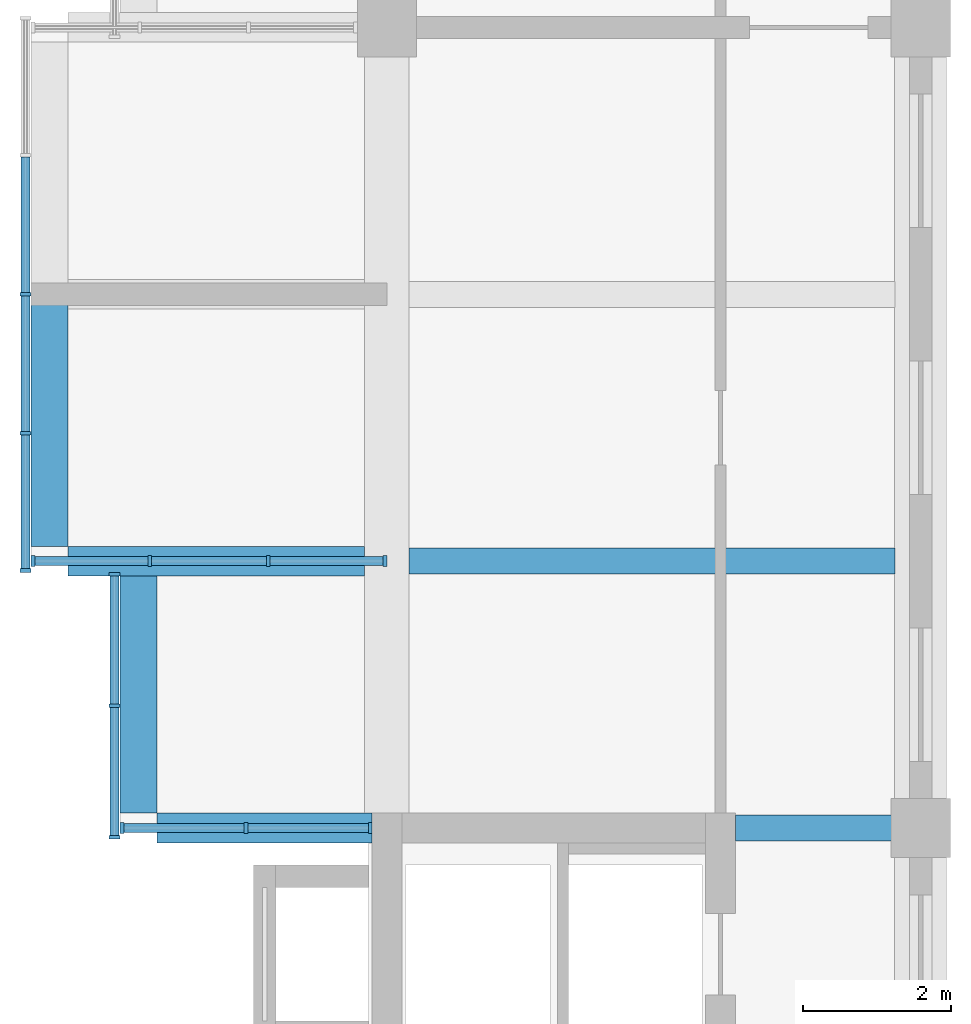
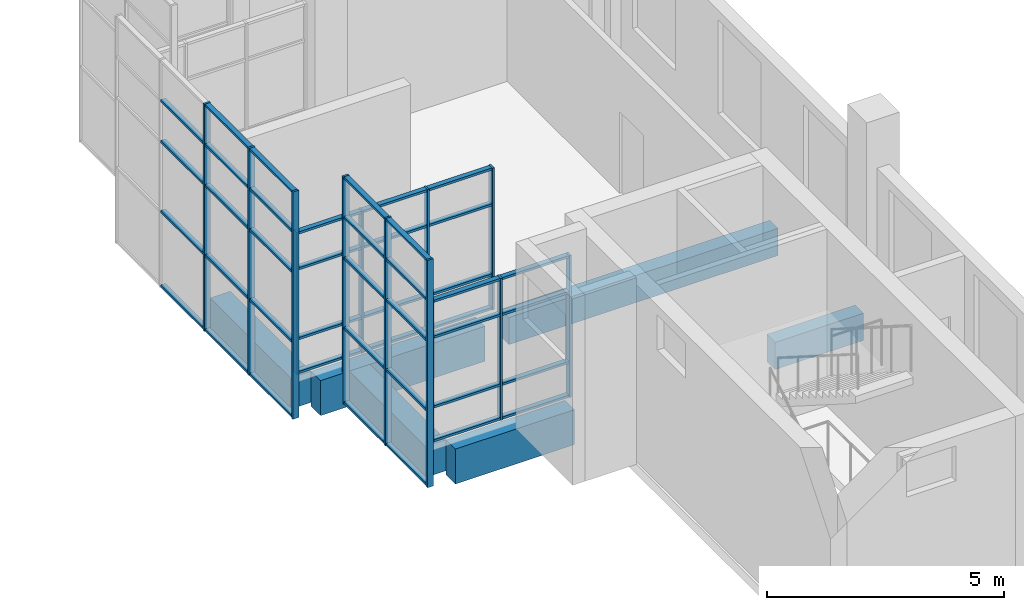
# One storey, part 2 of 9: 57 members, 6 beams, 4 elements without a shape of their own.
"""IFC4 building model written with IfcOpenShell, lengths in metres."""

from ifc_helpers import new_model, si_unit, direction, frame, origin, origin_2d, place, context, subcontext, project, spatial, rectangle, extrude, material, layer, layer_set, material_profile, profile_set, type_object, element, aggregate, save


model = new_model("IFC4")

# Units and contexts
model_context = context("Model", 3, precision=1e-05, world=origin(), true_north=direction((0.0, 1.0)))
body_context = subcontext(model_context, "Body", "Model", "MODEL_VIEW")
ifc_project = project(units=[si_unit("LENGTHUNIT", "METRE"), si_unit("AREAUNIT", "SQUARE_METRE"), si_unit("VOLUMEUNIT", "CUBIC_METRE"), si_unit("PLANEANGLEUNIT", "RADIAN"), si_unit("MASSUNIT", "GRAM", prefix="KILO")], contexts=[model_context])

# Site, building, storey
site_placement = place(None, origin())
site = spatial("IfcSite", under=ifc_project, at=site_placement, CompositionType="ELEMENT")
building_placement = place(site_placement, origin())
building = spatial("IfcBuilding", under=site, at=building_placement, Name="Basin Gate Institute", CompositionType="ELEMENT")
storey_placement = place(building_placement, frame((0.0, 0.0, 70.199951171875)))
storey = spatial("IfcBuildingStorey", under=building, at=storey_placement, Name="L14", CompositionType="ELEMENT", Elevation=70.199951171875)

# Beams
ifc_material_1 = material(Name="Concrete 40 MPa", Category="concrete")
ifc_material_profile_1 = material_profile(ifc_material_1, rectangle(XDim=0.35009765625, YDim=0.699951171875, at=origin_2d()), Name="Beam B1 350 x 700")
ifc_profile_set_1 = profile_set([ifc_material_profile_1], Name="Concrete 40 MPa")
beam_type_1 = type_object("IfcBeamType", Name="Beam B1 R60", PredefinedType="BEAM", material=ifc_profile_set_1)
beam_1_placement = place(storey_placement, frame((65.89990234375, 45.89990234375, -0.599853515625), z_axis=(1.0, 0.0, 0.0), x_axis=(0.0, 1.0, 0.0)))
element("IfcBeam", 1, at=beam_1_placement, inside=storey, type_object=beam_type_1, material=ifc_profile_set_1, Name="BEAM/L14/W/CORR/04", PredefinedType="BEAM", context=body_context, shape_type="SweptSolid", body=[
    extrude(rectangle(XDim=0.35009765625, YDim=0.699951171875, at=origin_2d()), origin(), (0.0, 0.0, 1.0), 2.150146484375),
])
beam_2_placement = place(storey_placement, frame((61.5, 49.5, -0.599853515625), z_axis=(1.0, 0.0, 0.0), x_axis=(0.0, 1.0, 0.0)))
element("IfcBeam", 2, at=beam_2_placement, inside=storey, type_object=beam_type_1, material=ifc_profile_set_1, Name="BEAM/L14/W/OUT/05", PredefinedType="BEAM", context=body_context, shape_type="SweptSolid", body=[
    extrude(rectangle(XDim=0.35009765625, YDim=0.699951171875, at=origin_2d()), origin(), (0.0, 0.0, 1.0), 6.550048828125),
])
ifc_material_2 = material(Name="Concrete 50 MPa", Category="concrete")
ifc_material_profile_2 = material_profile(ifc_material_2, rectangle(XDim=0.39990234375, YDim=0.89990234375, at=origin_2d()), Name="Cantilever beam B3 400 x 900")
ifc_profile_set_2 = profile_set([ifc_material_profile_2], Name="Concrete 50 MPa")
beam_type_2 = type_object("IfcBeamType", Name="Cantilever beam B3 R60", PredefinedType="BEAM", material=ifc_profile_set_2)
beam_3_placement = place(storey_placement, frame((58.10009765625, 45.89990234375, -0.699951171875), z_axis=(1.0, 0.0, 0.0), x_axis=(0.0, 1.0, 0.0)))
element("IfcBeam", 3, at=beam_3_placement, inside=storey, type_object=beam_type_2, material=ifc_profile_set_2, Name="BEAM/L14/W/CANT/04", PredefinedType="BEAM", context=body_context, shape_type="SweptSolid", body=[
    extrude(rectangle(XDim=0.39990234375, YDim=0.89990234375, at=origin_2d()), origin(), (0.0, 0.0, 1.0), 2.89990234375),
])
beam_4_placement = place(storey_placement, frame((56.89990234375, 49.5, -0.699951171875), z_axis=(1.0, 0.0, 0.0), x_axis=(0.0, 1.0, 0.0)))
element("IfcBeam", 4, at=beam_4_placement, inside=storey, type_object=beam_type_2, material=ifc_profile_set_2, Name="BEAM/L14/W/CANT/05", PredefinedType="BEAM", context=body_context, shape_type="SweptSolid", body=[
    extrude(rectangle(XDim=0.39990234375, YDim=0.89990234375, at=origin_2d()), origin(), (0.0, 0.0, 1.0), 4.0),
])

# Curtain wall, members
ifc_material_3 = material(Name="Aluminium-framed glazing", Category="aluminium")
ifc_layer = layer(ifc_material_3, 0.14990234375)
ifc_layer_set = layer_set([ifc_layer], Name="Capsule front curtain wall CW1")
curtain_wall_type = type_object("IfcCurtainWallType", Name="Capsule front curtain wall CW1", PredefinedType="NOTDEFINED", material=ifc_layer_set)
curtain_wall_1_placement = place(storey_placement, origin())
curtain_wall_1 = element("IfcCurtainWall", 5, at=curtain_wall_1_placement, inside=storey, type_object=curtain_wall_type, material=ifc_layer_set, Name="Capsule front curtain wall W wing capsule end L14 line 4", PredefinedType="NOTDEFINED")
ifc_material_4 = material(Name="Aluminium", Category="aluminium")
ifc_material_profile_3 = material_profile(ifc_material_4, rectangle(XDim=0.14990234375, YDim=0.050048828125, at=origin_2d()), Name="Mullion MU1 150 x 50")
ifc_profile_set_3 = profile_set([ifc_material_profile_3], Name="Aluminium")
member_type_1 = type_object("IfcMemberType", Name="Mullion MU1", PredefinedType="MULLION", material=ifc_profile_set_3)
member_1_placement = place(storey_placement, frame((57.625, 45.89990234375, 0.0), z_axis=(0.0, 0.0, 1.0), x_axis=(0.0, 1.0, 0.0)))
member_1 = element("IfcMember", 6, at=member_1_placement, type_object=member_type_1, material=ifc_profile_set_3, Name="CW1 mullion 1", PredefinedType="MULLION", context=body_context, shape_type="SweptSolid", body=[
    extrude(rectangle(XDim=0.14990234375, YDim=0.050048828125, at=origin_2d()), origin(), (0.0, 0.0, 1.0), 3.650146484375),
])
member_2_placement = place(storey_placement, frame((59.300048828125, 45.89990234375, 0.0), z_axis=(0.0, 0.0, 1.0), x_axis=(0.0, 1.0, 0.0)))
member_2 = element("IfcMember", 7, at=member_2_placement, type_object=member_type_1, material=ifc_profile_set_3, Name="CW1 mullion 2", PredefinedType="MULLION", context=body_context, shape_type="SweptSolid", body=[
    extrude(rectangle(XDim=0.14990234375, YDim=0.050048828125, at=origin_2d()), origin(), (0.0, 0.0, 1.0), 3.650146484375),
])
member_3_placement = place(storey_placement, frame((60.97509765625, 45.89990234375, 0.0), z_axis=(0.0, 0.0, 1.0), x_axis=(0.0, 1.0, 0.0)))
member_3 = element("IfcMember", 8, at=member_3_placement, type_object=member_type_1, material=ifc_profile_set_3, Name="CW1 mullion 3", PredefinedType="MULLION", context=body_context, shape_type="SweptSolid", body=[
    extrude(rectangle(XDim=0.14990234375, YDim=0.050048828125, at=origin_2d()), origin(), (0.0, 0.0, 1.0), 3.650146484375),
])

curtain_wall_2_placement = place(storey_placement, origin())
curtain_wall_2 = element("IfcCurtainWall", 9, at=curtain_wall_2_placement, inside=storey, type_object=curtain_wall_type, material=ifc_layer_set, Name="Capsule front curtain wall W wing capsule end L14 line 5", PredefinedType="NOTDEFINED")
member_4_placement = place(storey_placement, frame((56.425048828125, 49.5, 0.0), z_axis=(0.0, 0.0, 1.0), x_axis=(0.0, 1.0, 0.0)))
member_4 = element("IfcMember", 10, at=member_4_placement, type_object=member_type_1, material=ifc_profile_set_3, Name="CW1 mullion 1", PredefinedType="MULLION", context=body_context, shape_type="SweptSolid", body=[
    extrude(rectangle(XDim=0.14990234375, YDim=0.050048828125, at=origin_2d()), origin(), (0.0, 0.0, 1.0), 3.650146484375),
])
member_5_placement = place(storey_placement, frame((58.0, 49.5, 0.0), z_axis=(0.0, 0.0, 1.0), x_axis=(0.0, 1.0, 0.0)))
member_5 = element("IfcMember", 11, at=member_5_placement, type_object=member_type_1, material=ifc_profile_set_3, Name="CW1 mullion 2", PredefinedType="MULLION", context=body_context, shape_type="SweptSolid", body=[
    extrude(rectangle(XDim=0.14990234375, YDim=0.050048828125, at=origin_2d()), origin(), (0.0, 0.0, 1.0), 3.650146484375),
])
member_6_placement = place(storey_placement, frame((59.60009765625, 49.5, 0.0), z_axis=(0.0, 0.0, 1.0), x_axis=(0.0, 1.0, 0.0)))
member_6 = element("IfcMember", 12, at=member_6_placement, type_object=member_type_1, material=ifc_profile_set_3, Name="CW1 mullion 3", PredefinedType="MULLION", context=body_context, shape_type="SweptSolid", body=[
    extrude(rectangle(XDim=0.14990234375, YDim=0.050048828125, at=origin_2d()), origin(), (0.0, 0.0, 1.0), 3.650146484375),
])
member_7_placement = place(storey_placement, frame((61.175048828125, 49.5, 0.0), z_axis=(0.0, 0.0, 1.0), x_axis=(0.0, 1.0, 0.0)))
member_7 = element("IfcMember", 13, at=member_7_placement, type_object=member_type_1, material=ifc_profile_set_3, Name="CW1 mullion 4", PredefinedType="MULLION", context=body_context, shape_type="SweptSolid", body=[
    extrude(rectangle(XDim=0.14990234375, YDim=0.050048828125, at=origin_2d()), origin(), (0.0, 0.0, 1.0), 3.650146484375),
])

curtain_wall_3_placement = place(storey_placement, origin())
curtain_wall_3 = element("IfcCurtainWall", 14, at=curtain_wall_3_placement, inside=storey, type_object=curtain_wall_type, material=ifc_layer_set, Name="Capsule front curtain wall W wing capsule 1 L14 front 1", PredefinedType="NOTDEFINED")
member_8_placement = place(storey_placement, frame((57.52490234375, 45.77490234375, -1.050048828125), z_axis=(0.0, 0.0, 1.0), x_axis=(-1.0, 0.0, 0.0)))
member_8 = element("IfcMember", 15, at=member_8_placement, type_object=member_type_1, material=ifc_profile_set_3, Name="CW1 mullion 1", PredefinedType="MULLION", context=body_context, shape_type="SweptSolid", body=[
    extrude(rectangle(XDim=0.14990234375, YDim=0.050048828125, at=origin_2d()), origin(), (0.0, 0.0, 1.0), 5.85009765625),
])
member_9_placement = place(storey_placement, frame((57.52490234375, 47.550048828125, -1.050048828125), z_axis=(0.0, 0.0, 1.0), x_axis=(-1.0, 0.0, 0.0)))
member_9 = element("IfcMember", 16, at=member_9_placement, type_object=member_type_1, material=ifc_profile_set_3, Name="CW1 mullion 2", PredefinedType="MULLION", context=body_context, shape_type="SweptSolid", body=[
    extrude(rectangle(XDim=0.14990234375, YDim=0.050048828125, at=origin_2d()), origin(), (0.0, 0.0, 1.0), 5.85009765625),
])
member_10_placement = place(storey_placement, frame((57.52490234375, 49.324951171875, -1.050048828125), z_axis=(0.0, 0.0, 1.0), x_axis=(-1.0, 0.0, 0.0)))
member_10 = element("IfcMember", 17, at=member_10_placement, type_object=member_type_1, material=ifc_profile_set_3, Name="CW1 mullion 3", PredefinedType="MULLION", context=body_context, shape_type="SweptSolid", body=[
    extrude(rectangle(XDim=0.14990234375, YDim=0.050048828125, at=origin_2d()), origin(), (0.0, 0.0, 1.0), 5.85009765625),
])

curtain_wall_4_placement = place(storey_placement, origin())
curtain_wall_4 = element("IfcCurtainWall", 18, at=curtain_wall_4_placement, inside=storey, type_object=curtain_wall_type, material=ifc_layer_set, Name="Capsule front curtain wall W wing capsule 1 L14 front 2", PredefinedType="NOTDEFINED")
member_11_placement = place(storey_placement, frame((56.324951171875, 49.375, -1.050048828125), z_axis=(0.0, 0.0, 1.0), x_axis=(-1.0, 0.0, 0.0)))
member_11 = element("IfcMember", 19, at=member_11_placement, type_object=member_type_1, material=ifc_profile_set_3, Name="CW1 mullion 1", PredefinedType="MULLION", context=body_context, shape_type="SweptSolid", body=[
    extrude(rectangle(XDim=0.14990234375, YDim=0.050048828125, at=origin_2d()), origin(), (0.0, 0.0, 1.0), 5.85009765625),
])
member_12_placement = place(storey_placement, frame((56.324951171875, 51.22509765625, -1.050048828125), z_axis=(0.0, 0.0, 1.0), x_axis=(-1.0, 0.0, 0.0)))
member_12 = element("IfcMember", 20, at=member_12_placement, type_object=member_type_1, material=ifc_profile_set_3, Name="CW1 mullion 2", PredefinedType="MULLION", context=body_context, shape_type="SweptSolid", body=[
    extrude(rectangle(XDim=0.14990234375, YDim=0.050048828125, at=origin_2d()), origin(), (0.0, 0.0, 1.0), 5.85009765625),
])
member_13_placement = place(storey_placement, frame((56.324951171875, 53.10009765625, -1.050048828125), z_axis=(0.0, 0.0, 1.0), x_axis=(-1.0, 0.0, 0.0)))
member_13 = element("IfcMember", 21, at=member_13_placement, type_object=member_type_1, material=ifc_profile_set_3, Name="CW1 mullion 3", PredefinedType="MULLION", context=body_context, shape_type="SweptSolid", body=[
    extrude(rectangle(XDim=0.14990234375, YDim=0.050048828125, at=origin_2d()), origin(), (0.0, 0.0, 1.0), 5.85009765625),
])

# Beams
ifc_material_5 = material(Name="Concrete 50 MPa", Category="concrete")
ifc_material_profile_4 = material_profile(ifc_material_5, rectangle(XDim=0.5, YDim=0.800048828125, at=origin_2d()), Name="Tip beam TB1 500 x 800")
ifc_profile_set_4 = profile_set([ifc_material_profile_4], Name="Concrete 50 MPa")
beam_type_3 = type_object("IfcBeamType", Name="Tip beam TB1 R60", PredefinedType="SPANDREL", material=ifc_profile_set_4)
beam_5_placement = place(storey_placement, frame((57.85009765625, 46.10009765625, -0.64990234375), z_axis=(0.0, 1.0, 0.0), x_axis=(-1.0, 0.0, 0.0)))
element("IfcBeam", 22, at=beam_5_placement, inside=storey, type_object=beam_type_3, material=ifc_profile_set_4, Name="BEAM/L14/W/TIP/1", PredefinedType="SPANDREL", context=body_context, shape_type="SweptSolid", body=[
    extrude(rectangle(XDim=0.5, YDim=0.800048828125, at=origin_2d()), origin(), (0.0, 0.0, 1.0), 3.199951171875),
])
beam_6_placement = place(storey_placement, frame((56.64990234375, 49.699951171875, -0.64990234375), z_axis=(0.0, 1.0, 0.0), x_axis=(-1.0, 0.0, 0.0)))
element("IfcBeam", 23, at=beam_6_placement, inside=storey, type_object=beam_type_3, material=ifc_profile_set_4, Name="BEAM/L14/W/TIP/2", PredefinedType="SPANDREL", context=body_context, shape_type="SweptSolid", body=[
    extrude(rectangle(XDim=0.5, YDim=0.800048828125, at=origin_2d()), origin(), (0.0, 0.0, 1.0), 3.400146484375),
])

# Member
ifc_material_6 = material(Name="Aluminium", Category="aluminium")
ifc_material_profile_5 = material_profile(ifc_material_6, rectangle(XDim=0.1201171875, YDim=0.06005859375, at=origin_2d()), Name="Transom TR1 120 x 60")
ifc_profile_set_5 = profile_set([ifc_material_profile_5], Name="Aluminium")
member_type_2 = type_object("IfcMemberType", Name="Transom TR1", PredefinedType="USERDEFINED", material=ifc_profile_set_5)
member_14_placement = place(storey_placement, frame((57.64990234375, 45.89990234375, 0.030029296875), z_axis=(1.0, 0.0, 0.0), x_axis=(0.0, 1.0, 0.0)))
member_14 = element("IfcMember", 24, at=member_14_placement, type_object=member_type_2, material=ifc_profile_set_5, Name="CW1 transom 1.1", ObjectType="TRANSOM", PredefinedType="USERDEFINED", context=body_context, shape_type="SweptSolid", body=[
    extrude(rectangle(XDim=0.1201171875, YDim=0.06005859375, at=origin_2d()), origin(), (0.0, 0.0, 1.0), 1.625),
])

member_15_placement = place(storey_placement, frame((57.64990234375, 45.89990234375, 0.900146484375), z_axis=(1.0, 0.0, 0.0), x_axis=(0.0, 1.0, 0.0)))
member_15 = element("IfcMember", 25, at=member_15_placement, type_object=member_type_2, material=ifc_profile_set_5, Name="CW1 transom 1.2", ObjectType="TRANSOM", PredefinedType="USERDEFINED", context=body_context, shape_type="SweptSolid", body=[
    extrude(rectangle(XDim=0.1201171875, YDim=0.06005859375, at=origin_2d()), origin(), (0.0, 0.0, 1.0), 1.625),
])

member_16_placement = place(storey_placement, frame((57.64990234375, 45.89990234375, 2.699951171875), z_axis=(1.0, 0.0, 0.0), x_axis=(0.0, 1.0, 0.0)))
member_16 = element("IfcMember", 26, at=member_16_placement, type_object=member_type_2, material=ifc_profile_set_5, Name="CW1 transom 1.3", ObjectType="TRANSOM", PredefinedType="USERDEFINED", context=body_context, shape_type="SweptSolid", body=[
    extrude(rectangle(XDim=0.1201171875, YDim=0.06005859375, at=origin_2d()), origin(), (0.0, 0.0, 1.0), 1.625),
])

member_17_placement = place(storey_placement, frame((57.64990234375, 45.89990234375, 3.6201171875), z_axis=(1.0, 0.0, 0.0), x_axis=(0.0, 1.0, 0.0)))
member_17 = element("IfcMember", 27, at=member_17_placement, type_object=member_type_2, material=ifc_profile_set_5, Name="CW1 transom 1.4", ObjectType="TRANSOM", PredefinedType="USERDEFINED", context=body_context, shape_type="SweptSolid", body=[
    extrude(rectangle(XDim=0.1201171875, YDim=0.06005859375, at=origin_2d()), origin(), (0.0, 0.0, 1.0), 1.625),
])

member_18_placement = place(storey_placement, frame((59.324951171875, 45.89990234375, 0.030029296875), z_axis=(1.0, 0.0, 0.0), x_axis=(0.0, 1.0, 0.0)))
member_18 = element("IfcMember", 28, at=member_18_placement, type_object=member_type_2, material=ifc_profile_set_5, Name="CW1 transom 2.1", ObjectType="TRANSOM", PredefinedType="USERDEFINED", context=body_context, shape_type="SweptSolid", body=[
    extrude(rectangle(XDim=0.1201171875, YDim=0.06005859375, at=origin_2d()), origin(), (0.0, 0.0, 1.0), 1.625),
])

member_19_placement = place(storey_placement, frame((59.324951171875, 45.89990234375, 0.900146484375), z_axis=(1.0, 0.0, 0.0), x_axis=(0.0, 1.0, 0.0)))
member_19 = element("IfcMember", 29, at=member_19_placement, type_object=member_type_2, material=ifc_profile_set_5, Name="CW1 transom 2.2", ObjectType="TRANSOM", PredefinedType="USERDEFINED", context=body_context, shape_type="SweptSolid", body=[
    extrude(rectangle(XDim=0.1201171875, YDim=0.06005859375, at=origin_2d()), origin(), (0.0, 0.0, 1.0), 1.625),
])

member_20_placement = place(storey_placement, frame((59.324951171875, 45.89990234375, 2.699951171875), z_axis=(1.0, 0.0, 0.0), x_axis=(0.0, 1.0, 0.0)))
member_20 = element("IfcMember", 30, at=member_20_placement, type_object=member_type_2, material=ifc_profile_set_5, Name="CW1 transom 2.3", ObjectType="TRANSOM", PredefinedType="USERDEFINED", context=body_context, shape_type="SweptSolid", body=[
    extrude(rectangle(XDim=0.1201171875, YDim=0.06005859375, at=origin_2d()), origin(), (0.0, 0.0, 1.0), 1.625),
])

member_21_placement = place(storey_placement, frame((59.324951171875, 45.89990234375, 3.6201171875), z_axis=(1.0, 0.0, 0.0), x_axis=(0.0, 1.0, 0.0)))
member_21 = element("IfcMember", 31, at=member_21_placement, type_object=member_type_2, material=ifc_profile_set_5, Name="CW1 transom 2.4", ObjectType="TRANSOM", PredefinedType="USERDEFINED", context=body_context, shape_type="SweptSolid", body=[
    extrude(rectangle(XDim=0.1201171875, YDim=0.06005859375, at=origin_2d()), origin(), (0.0, 0.0, 1.0), 1.625),
])

aggregate(curtain_wall_1, [member_1, member_2, member_3, member_14, member_15, member_16, member_17, member_18, member_19, member_20, member_21])

member_22_placement = place(storey_placement, frame((56.449951171875, 49.5, 0.030029296875), z_axis=(1.0, 0.0, 0.0), x_axis=(0.0, 1.0, 0.0)))
member_22 = element("IfcMember", 32, at=member_22_placement, type_object=member_type_2, material=ifc_profile_set_5, Name="CW1 transom 1.1", ObjectType="TRANSOM", PredefinedType="USERDEFINED", context=body_context, shape_type="SweptSolid", body=[
    extrude(rectangle(XDim=0.1201171875, YDim=0.06005859375, at=origin_2d()), origin(), (0.0, 0.0, 1.0), 1.525146484375),
])

member_23_placement = place(storey_placement, frame((56.449951171875, 49.5, 0.900146484375), z_axis=(1.0, 0.0, 0.0), x_axis=(0.0, 1.0, 0.0)))
member_23 = element("IfcMember", 33, at=member_23_placement, type_object=member_type_2, material=ifc_profile_set_5, Name="CW1 transom 1.2", ObjectType="TRANSOM", PredefinedType="USERDEFINED", context=body_context, shape_type="SweptSolid", body=[
    extrude(rectangle(XDim=0.1201171875, YDim=0.06005859375, at=origin_2d()), origin(), (0.0, 0.0, 1.0), 1.525146484375),
])

member_24_placement = place(storey_placement, frame((56.449951171875, 49.5, 2.699951171875), z_axis=(1.0, 0.0, 0.0), x_axis=(0.0, 1.0, 0.0)))
member_24 = element("IfcMember", 34, at=member_24_placement, type_object=member_type_2, material=ifc_profile_set_5, Name="CW1 transom 1.3", ObjectType="TRANSOM", PredefinedType="USERDEFINED", context=body_context, shape_type="SweptSolid", body=[
    extrude(rectangle(XDim=0.1201171875, YDim=0.06005859375, at=origin_2d()), origin(), (0.0, 0.0, 1.0), 1.525146484375),
])

member_25_placement = place(storey_placement, frame((56.449951171875, 49.5, 3.6201171875), z_axis=(1.0, 0.0, 0.0), x_axis=(0.0, 1.0, 0.0)))
member_25 = element("IfcMember", 35, at=member_25_placement, type_object=member_type_2, material=ifc_profile_set_5, Name="CW1 transom 1.4", ObjectType="TRANSOM", PredefinedType="USERDEFINED", context=body_context, shape_type="SweptSolid", body=[
    extrude(rectangle(XDim=0.1201171875, YDim=0.06005859375, at=origin_2d()), origin(), (0.0, 0.0, 1.0), 1.525146484375),
])

member_26_placement = place(storey_placement, frame((58.02490234375, 49.5, 0.030029296875), z_axis=(1.0, 0.0, 0.0), x_axis=(0.0, 1.0, 0.0)))
member_26 = element("IfcMember", 36, at=member_26_placement, type_object=member_type_2, material=ifc_profile_set_5, Name="CW1 transom 2.1", ObjectType="TRANSOM", PredefinedType="USERDEFINED", context=body_context, shape_type="SweptSolid", body=[
    extrude(rectangle(XDim=0.1201171875, YDim=0.06005859375, at=origin_2d()), origin(), (0.0, 0.0, 1.0), 1.550048828125),
])

member_27_placement = place(storey_placement, frame((58.02490234375, 49.5, 0.900146484375), z_axis=(1.0, 0.0, 0.0), x_axis=(0.0, 1.0, 0.0)))
member_27 = element("IfcMember", 37, at=member_27_placement, type_object=member_type_2, material=ifc_profile_set_5, Name="CW1 transom 2.2", ObjectType="TRANSOM", PredefinedType="USERDEFINED", context=body_context, shape_type="SweptSolid", body=[
    extrude(rectangle(XDim=0.1201171875, YDim=0.06005859375, at=origin_2d()), origin(), (0.0, 0.0, 1.0), 1.550048828125),
])

member_28_placement = place(storey_placement, frame((58.02490234375, 49.5, 2.699951171875), z_axis=(1.0, 0.0, 0.0), x_axis=(0.0, 1.0, 0.0)))
member_28 = element("IfcMember", 38, at=member_28_placement, type_object=member_type_2, material=ifc_profile_set_5, Name="CW1 transom 2.3", ObjectType="TRANSOM", PredefinedType="USERDEFINED", context=body_context, shape_type="SweptSolid", body=[
    extrude(rectangle(XDim=0.1201171875, YDim=0.06005859375, at=origin_2d()), origin(), (0.0, 0.0, 1.0), 1.550048828125),
])

member_29_placement = place(storey_placement, frame((58.02490234375, 49.5, 3.6201171875), z_axis=(1.0, 0.0, 0.0), x_axis=(0.0, 1.0, 0.0)))
member_29 = element("IfcMember", 39, at=member_29_placement, type_object=member_type_2, material=ifc_profile_set_5, Name="CW1 transom 2.4", ObjectType="TRANSOM", PredefinedType="USERDEFINED", context=body_context, shape_type="SweptSolid", body=[
    extrude(rectangle(XDim=0.1201171875, YDim=0.06005859375, at=origin_2d()), origin(), (0.0, 0.0, 1.0), 1.550048828125),
])

member_30_placement = place(storey_placement, frame((59.625, 49.5, 0.030029296875), z_axis=(1.0, 0.0, 0.0), x_axis=(0.0, 1.0, 0.0)))
member_30 = element("IfcMember", 40, at=member_30_placement, type_object=member_type_2, material=ifc_profile_set_5, Name="CW1 transom 3.1", ObjectType="TRANSOM", PredefinedType="USERDEFINED", context=body_context, shape_type="SweptSolid", body=[
    extrude(rectangle(XDim=0.1201171875, YDim=0.06005859375, at=origin_2d()), origin(), (0.0, 0.0, 1.0), 1.52490234375),
])

member_31_placement = place(storey_placement, frame((59.625, 49.5, 0.900146484375), z_axis=(1.0, 0.0, 0.0), x_axis=(0.0, 1.0, 0.0)))
member_31 = element("IfcMember", 41, at=member_31_placement, type_object=member_type_2, material=ifc_profile_set_5, Name="CW1 transom 3.2", ObjectType="TRANSOM", PredefinedType="USERDEFINED", context=body_context, shape_type="SweptSolid", body=[
    extrude(rectangle(XDim=0.1201171875, YDim=0.06005859375, at=origin_2d()), origin(), (0.0, 0.0, 1.0), 1.52490234375),
])

member_32_placement = place(storey_placement, frame((59.625, 49.5, 2.699951171875), z_axis=(1.0, 0.0, 0.0), x_axis=(0.0, 1.0, 0.0)))
member_32 = element("IfcMember", 42, at=member_32_placement, type_object=member_type_2, material=ifc_profile_set_5, Name="CW1 transom 3.3", ObjectType="TRANSOM", PredefinedType="USERDEFINED", context=body_context, shape_type="SweptSolid", body=[
    extrude(rectangle(XDim=0.1201171875, YDim=0.06005859375, at=origin_2d()), origin(), (0.0, 0.0, 1.0), 1.52490234375),
])

member_33_placement = place(storey_placement, frame((59.625, 49.5, 3.6201171875), z_axis=(1.0, 0.0, 0.0), x_axis=(0.0, 1.0, 0.0)))
member_33 = element("IfcMember", 43, at=member_33_placement, type_object=member_type_2, material=ifc_profile_set_5, Name="CW1 transom 3.4", ObjectType="TRANSOM", PredefinedType="USERDEFINED", context=body_context, shape_type="SweptSolid", body=[
    extrude(rectangle(XDim=0.1201171875, YDim=0.06005859375, at=origin_2d()), origin(), (0.0, 0.0, 1.0), 1.52490234375),
])

aggregate(curtain_wall_2, [member_4, member_5, member_6, member_7, member_22, member_23, member_24, member_25, member_26, member_27, member_28, member_29, member_30, member_31, member_32, member_33])

member_34_placement = place(storey_placement, frame((57.52490234375, 45.800048828125, -1.02001953125), z_axis=(0.0, 1.0, 0.0), x_axis=(-1.0, 0.0, 0.0)))
member_34 = element("IfcMember", 44, at=member_34_placement, type_object=member_type_2, material=ifc_profile_set_5, Name="CW1 transom 1.1", ObjectType="TRANSOM", PredefinedType="USERDEFINED", context=body_context, shape_type="SweptSolid", body=[
    extrude(rectangle(XDim=0.1201171875, YDim=0.06005859375, at=origin_2d()), origin(), (0.0, 0.0, 1.0), 1.724853515625),
])

member_35_placement = place(storey_placement, frame((57.52490234375, 45.800048828125, 0.900146484375), z_axis=(0.0, 1.0, 0.0), x_axis=(-1.0, 0.0, 0.0)))
member_35 = element("IfcMember", 45, at=member_35_placement, type_object=member_type_2, material=ifc_profile_set_5, Name="CW1 transom 1.2", ObjectType="TRANSOM", PredefinedType="USERDEFINED", context=body_context, shape_type="SweptSolid", body=[
    extrude(rectangle(XDim=0.1201171875, YDim=0.06005859375, at=origin_2d()), origin(), (0.0, 0.0, 1.0), 1.724853515625),
])

member_36_placement = place(storey_placement, frame((57.52490234375, 45.800048828125, 2.699951171875), z_axis=(0.0, 1.0, 0.0), x_axis=(-1.0, 0.0, 0.0)))
member_36 = element("IfcMember", 46, at=member_36_placement, type_object=member_type_2, material=ifc_profile_set_5, Name="CW1 transom 1.3", ObjectType="TRANSOM", PredefinedType="USERDEFINED", context=body_context, shape_type="SweptSolid", body=[
    extrude(rectangle(XDim=0.1201171875, YDim=0.06005859375, at=origin_2d()), origin(), (0.0, 0.0, 1.0), 1.724853515625),
])

member_37_placement = place(storey_placement, frame((57.52490234375, 45.800048828125, 3.75), z_axis=(0.0, 1.0, 0.0), x_axis=(-1.0, 0.0, 0.0)))
member_37 = element("IfcMember", 47, at=member_37_placement, type_object=member_type_2, material=ifc_profile_set_5, Name="CW1 transom 1.4", ObjectType="TRANSOM", PredefinedType="USERDEFINED", context=body_context, shape_type="SweptSolid", body=[
    extrude(rectangle(XDim=0.1201171875, YDim=0.06005859375, at=origin_2d()), origin(), (0.0, 0.0, 1.0), 1.724853515625),
])

member_38_placement = place(storey_placement, frame((57.52490234375, 45.800048828125, 4.77001953125), z_axis=(0.0, 1.0, 0.0), x_axis=(-1.0, 0.0, 0.0)))
member_38 = element("IfcMember", 48, at=member_38_placement, type_object=member_type_2, material=ifc_profile_set_5, Name="CW1 transom 1.5", ObjectType="TRANSOM", PredefinedType="USERDEFINED", context=body_context, shape_type="SweptSolid", body=[
    extrude(rectangle(XDim=0.1201171875, YDim=0.06005859375, at=origin_2d()), origin(), (0.0, 0.0, 1.0), 1.724853515625),
])

member_39_placement = place(storey_placement, frame((57.52490234375, 47.574951171875, -1.02001953125), z_axis=(0.0, 1.0, 0.0), x_axis=(-1.0, 0.0, 0.0)))
member_39 = element("IfcMember", 49, at=member_39_placement, type_object=member_type_2, material=ifc_profile_set_5, Name="CW1 transom 2.1", ObjectType="TRANSOM", PredefinedType="USERDEFINED", context=body_context, shape_type="SweptSolid", body=[
    extrude(rectangle(XDim=0.1201171875, YDim=0.06005859375, at=origin_2d()), origin(), (0.0, 0.0, 1.0), 1.72509765625),
])

member_40_placement = place(storey_placement, frame((57.52490234375, 47.574951171875, 0.900146484375), z_axis=(0.0, 1.0, 0.0), x_axis=(-1.0, 0.0, 0.0)))
member_40 = element("IfcMember", 50, at=member_40_placement, type_object=member_type_2, material=ifc_profile_set_5, Name="CW1 transom 2.2", ObjectType="TRANSOM", PredefinedType="USERDEFINED", context=body_context, shape_type="SweptSolid", body=[
    extrude(rectangle(XDim=0.1201171875, YDim=0.06005859375, at=origin_2d()), origin(), (0.0, 0.0, 1.0), 1.72509765625),
])

member_41_placement = place(storey_placement, frame((57.52490234375, 47.574951171875, 2.699951171875), z_axis=(0.0, 1.0, 0.0), x_axis=(-1.0, 0.0, 0.0)))
member_41 = element("IfcMember", 51, at=member_41_placement, type_object=member_type_2, material=ifc_profile_set_5, Name="CW1 transom 2.3", ObjectType="TRANSOM", PredefinedType="USERDEFINED", context=body_context, shape_type="SweptSolid", body=[
    extrude(rectangle(XDim=0.1201171875, YDim=0.06005859375, at=origin_2d()), origin(), (0.0, 0.0, 1.0), 1.72509765625),
])

member_42_placement = place(storey_placement, frame((57.52490234375, 47.574951171875, 3.75), z_axis=(0.0, 1.0, 0.0), x_axis=(-1.0, 0.0, 0.0)))
member_42 = element("IfcMember", 52, at=member_42_placement, type_object=member_type_2, material=ifc_profile_set_5, Name="CW1 transom 2.4", ObjectType="TRANSOM", PredefinedType="USERDEFINED", context=body_context, shape_type="SweptSolid", body=[
    extrude(rectangle(XDim=0.1201171875, YDim=0.06005859375, at=origin_2d()), origin(), (0.0, 0.0, 1.0), 1.72509765625),
])

member_43_placement = place(storey_placement, frame((57.52490234375, 47.574951171875, 4.77001953125), z_axis=(0.0, 1.0, 0.0), x_axis=(-1.0, 0.0, 0.0)))
member_43 = element("IfcMember", 53, at=member_43_placement, type_object=member_type_2, material=ifc_profile_set_5, Name="CW1 transom 2.5", ObjectType="TRANSOM", PredefinedType="USERDEFINED", context=body_context, shape_type="SweptSolid", body=[
    extrude(rectangle(XDim=0.1201171875, YDim=0.06005859375, at=origin_2d()), origin(), (0.0, 0.0, 1.0), 1.72509765625),
])

aggregate(curtain_wall_3, [member_8, member_9, member_10, member_34, member_35, member_36, member_37, member_38, member_39, member_40, member_41, member_42, member_43])

member_44_placement = place(storey_placement, frame((56.324951171875, 49.39990234375, -1.02001953125), z_axis=(0.0, 1.0, 0.0), x_axis=(-1.0, 0.0, 0.0)))
member_44 = element("IfcMember", 54, at=member_44_placement, type_object=member_type_2, material=ifc_profile_set_5, Name="CW1 transom 1.1", ObjectType="TRANSOM", PredefinedType="USERDEFINED", context=body_context, shape_type="SweptSolid", body=[
    extrude(rectangle(XDim=0.1201171875, YDim=0.06005859375, at=origin_2d()), origin(), (0.0, 0.0, 1.0), 1.800048828125),
])

member_45_placement = place(storey_placement, frame((56.324951171875, 49.39990234375, 0.900146484375), z_axis=(0.0, 1.0, 0.0), x_axis=(-1.0, 0.0, 0.0)))
member_45 = element("IfcMember", 55, at=member_45_placement, type_object=member_type_2, material=ifc_profile_set_5, Name="CW1 transom 1.2", ObjectType="TRANSOM", PredefinedType="USERDEFINED", context=body_context, shape_type="SweptSolid", body=[
    extrude(rectangle(XDim=0.1201171875, YDim=0.06005859375, at=origin_2d()), origin(), (0.0, 0.0, 1.0), 1.800048828125),
])

member_46_placement = place(storey_placement, frame((56.324951171875, 49.39990234375, 2.699951171875), z_axis=(0.0, 1.0, 0.0), x_axis=(-1.0, 0.0, 0.0)))
member_46 = element("IfcMember", 56, at=member_46_placement, type_object=member_type_2, material=ifc_profile_set_5, Name="CW1 transom 1.3", ObjectType="TRANSOM", PredefinedType="USERDEFINED", context=body_context, shape_type="SweptSolid", body=[
    extrude(rectangle(XDim=0.1201171875, YDim=0.06005859375, at=origin_2d()), origin(), (0.0, 0.0, 1.0), 1.800048828125),
])

member_47_placement = place(storey_placement, frame((56.324951171875, 49.39990234375, 3.75), z_axis=(0.0, 1.0, 0.0), x_axis=(-1.0, 0.0, 0.0)))
member_47 = element("IfcMember", 57, at=member_47_placement, type_object=member_type_2, material=ifc_profile_set_5, Name="CW1 transom 1.4", ObjectType="TRANSOM", PredefinedType="USERDEFINED", context=body_context, shape_type="SweptSolid", body=[
    extrude(rectangle(XDim=0.1201171875, YDim=0.06005859375, at=origin_2d()), origin(), (0.0, 0.0, 1.0), 1.800048828125),
])

member_48_placement = place(storey_placement, frame((56.324951171875, 49.39990234375, 4.77001953125), z_axis=(0.0, 1.0, 0.0), x_axis=(-1.0, 0.0, 0.0)))
member_48 = element("IfcMember", 58, at=member_48_placement, type_object=member_type_2, material=ifc_profile_set_5, Name="CW1 transom 1.5", ObjectType="TRANSOM", PredefinedType="USERDEFINED", context=body_context, shape_type="SweptSolid", body=[
    extrude(rectangle(XDim=0.1201171875, YDim=0.06005859375, at=origin_2d()), origin(), (0.0, 0.0, 1.0), 1.800048828125),
])

member_49_placement = place(storey_placement, frame((56.324951171875, 51.25, -1.02001953125), z_axis=(0.0, 1.0, 0.0), x_axis=(-1.0, 0.0, 0.0)))
member_49 = element("IfcMember", 59, at=member_49_placement, type_object=member_type_2, material=ifc_profile_set_5, Name="CW1 transom 2.1", ObjectType="TRANSOM", PredefinedType="USERDEFINED", context=body_context, shape_type="SweptSolid", body=[
    extrude(rectangle(XDim=0.1201171875, YDim=0.06005859375, at=origin_2d()), origin(), (0.0, 0.0, 1.0), 1.824951171875),
])

member_50_placement = place(storey_placement, frame((56.324951171875, 51.25, 0.900146484375), z_axis=(0.0, 1.0, 0.0), x_axis=(-1.0, 0.0, 0.0)))
member_50 = element("IfcMember", 60, at=member_50_placement, type_object=member_type_2, material=ifc_profile_set_5, Name="CW1 transom 2.2", ObjectType="TRANSOM", PredefinedType="USERDEFINED", context=body_context, shape_type="SweptSolid", body=[
    extrude(rectangle(XDim=0.1201171875, YDim=0.06005859375, at=origin_2d()), origin(), (0.0, 0.0, 1.0), 1.824951171875),
])

member_51_placement = place(storey_placement, frame((56.324951171875, 51.25, 2.699951171875), z_axis=(0.0, 1.0, 0.0), x_axis=(-1.0, 0.0, 0.0)))
member_51 = element("IfcMember", 61, at=member_51_placement, type_object=member_type_2, material=ifc_profile_set_5, Name="CW1 transom 2.3", ObjectType="TRANSOM", PredefinedType="USERDEFINED", context=body_context, shape_type="SweptSolid", body=[
    extrude(rectangle(XDim=0.1201171875, YDim=0.06005859375, at=origin_2d()), origin(), (0.0, 0.0, 1.0), 1.824951171875),
])

member_52_placement = place(storey_placement, frame((56.324951171875, 51.25, 3.75), z_axis=(0.0, 1.0, 0.0), x_axis=(-1.0, 0.0, 0.0)))
member_52 = element("IfcMember", 62, at=member_52_placement, type_object=member_type_2, material=ifc_profile_set_5, Name="CW1 transom 2.4", ObjectType="TRANSOM", PredefinedType="USERDEFINED", context=body_context, shape_type="SweptSolid", body=[
    extrude(rectangle(XDim=0.1201171875, YDim=0.06005859375, at=origin_2d()), origin(), (0.0, 0.0, 1.0), 1.824951171875),
])

member_53_placement = place(storey_placement, frame((56.324951171875, 51.25, 4.77001953125), z_axis=(0.0, 1.0, 0.0), x_axis=(-1.0, 0.0, 0.0)))
member_53 = element("IfcMember", 63, at=member_53_placement, type_object=member_type_2, material=ifc_profile_set_5, Name="CW1 transom 2.5", ObjectType="TRANSOM", PredefinedType="USERDEFINED", context=body_context, shape_type="SweptSolid", body=[
    extrude(rectangle(XDim=0.1201171875, YDim=0.06005859375, at=origin_2d()), origin(), (0.0, 0.0, 1.0), 1.824951171875),
])

member_54_placement = place(storey_placement, frame((56.324951171875, 53.125, -1.02001953125), z_axis=(0.0, 1.0, 0.0), x_axis=(-1.0, 0.0, 0.0)))
member_54 = element("IfcMember", 64, at=member_54_placement, type_object=member_type_2, material=ifc_profile_set_5, Name="CW1 transom 3.1", ObjectType="TRANSOM", PredefinedType="USERDEFINED", context=body_context, shape_type="SweptSolid", body=[
    extrude(rectangle(XDim=0.1201171875, YDim=0.06005859375, at=origin_2d()), origin(), (0.0, 0.0, 1.0), 1.824951171875),
])

member_55_placement = place(storey_placement, frame((56.324951171875, 53.125, 0.900146484375), z_axis=(0.0, 1.0, 0.0), x_axis=(-1.0, 0.0, 0.0)))
member_55 = element("IfcMember", 65, at=member_55_placement, type_object=member_type_2, material=ifc_profile_set_5, Name="CW1 transom 3.2", ObjectType="TRANSOM", PredefinedType="USERDEFINED", context=body_context, shape_type="SweptSolid", body=[
    extrude(rectangle(XDim=0.1201171875, YDim=0.06005859375, at=origin_2d()), origin(), (0.0, 0.0, 1.0), 1.824951171875),
])

member_56_placement = place(storey_placement, frame((56.324951171875, 53.125, 2.699951171875), z_axis=(0.0, 1.0, 0.0), x_axis=(-1.0, 0.0, 0.0)))
member_56 = element("IfcMember", 66, at=member_56_placement, type_object=member_type_2, material=ifc_profile_set_5, Name="CW1 transom 3.3", ObjectType="TRANSOM", PredefinedType="USERDEFINED", context=body_context, shape_type="SweptSolid", body=[
    extrude(rectangle(XDim=0.1201171875, YDim=0.06005859375, at=origin_2d()), origin(), (0.0, 0.0, 1.0), 1.824951171875),
])

member_57_placement = place(storey_placement, frame((56.324951171875, 53.125, 3.75), z_axis=(0.0, 1.0, 0.0), x_axis=(-1.0, 0.0, 0.0)))
member_57 = element("IfcMember", 67, at=member_57_placement, type_object=member_type_2, material=ifc_profile_set_5, Name="CW1 transom 3.4", ObjectType="TRANSOM", PredefinedType="USERDEFINED", context=body_context, shape_type="SweptSolid", body=[
    extrude(rectangle(XDim=0.1201171875, YDim=0.06005859375, at=origin_2d()), origin(), (0.0, 0.0, 1.0), 1.824951171875),
])

aggregate(curtain_wall_4, [member_11, member_12, member_13, member_44, member_45, member_46, member_47, member_48, member_49, member_50, member_51, member_52, member_53, member_54, member_55, member_56, member_57])

save(model, "model.ifc")
